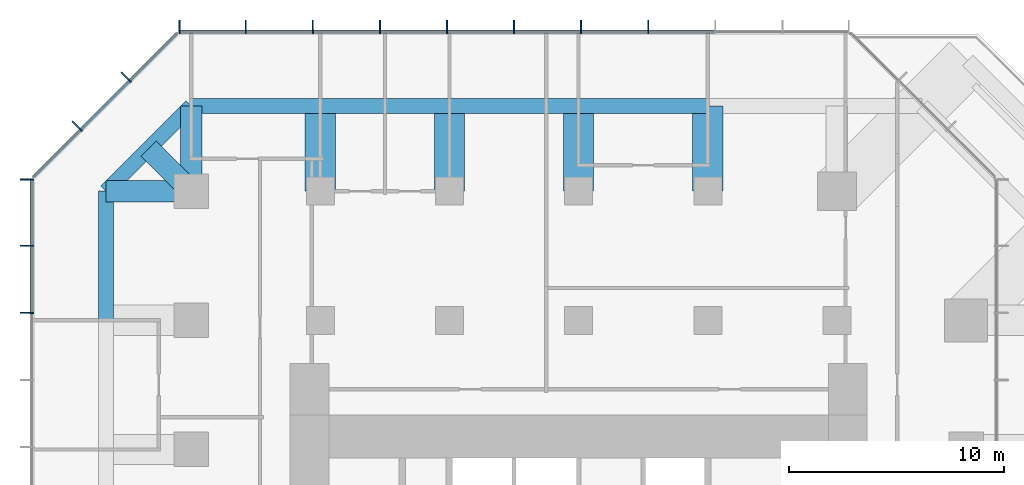
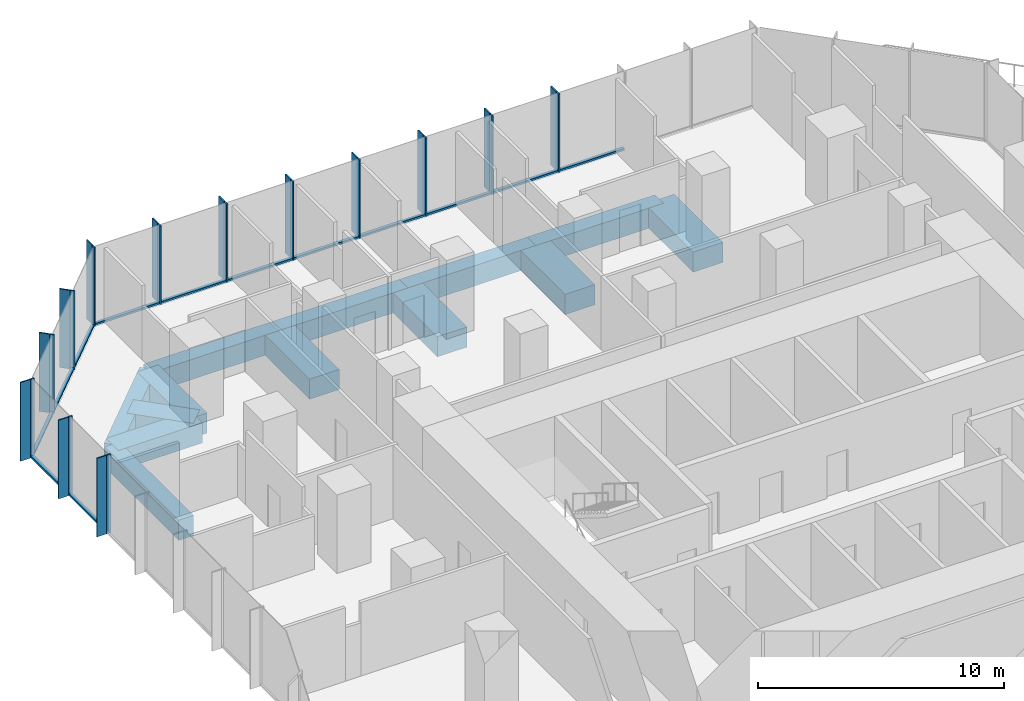
# One storey, part 5 of 11: 39 members, 13 beams, 3 elements without a shape of their own.
"""IFC4 building model written with IfcOpenShell, lengths in metres."""

import ifcopenshell
import ifcopenshell.guid

model = None  # the IFC model being written
_history = None  # IfcOwnerHistory: only IFC2X3 demands one
_inside = {}  # id of a spatial element -> (the spatial element, [elements in it])
_under = {}  # id of a project, library or spatial element -> (it, [spatial elements below it])
_declared = {}  # id of a project -> (the project, [libraries it declares])
_typed = {}  # id of a type object -> (the type object, [elements of that type])
_made_of = {}  # id of a material, layer set ... -> (it, [elements and type objects made of it])


def new_model(schema):
    """Start an empty IFC model of exactly this schema.

    Asked for "IFC4X3", IfcOpenShell would pick the latest addendum, in which some entities
    have other attributes; the version numbers below select the first issue.
    IFC2X3 requires an IfcOwnerHistory on every rooted entity: one is made here for all.
    """
    global model, _history
    if schema == "IFC4X3":
        model = ifcopenshell.file(schema_version=(4, 3, 0, 0))
    else:
        model = ifcopenshell.file(schema=schema)
    _inside.clear()
    _under.clear()
    _declared.clear()
    _typed.clear()
    _made_of.clear()
    _history = None
    if model.schema == "IFC2X3":
        org = make("IfcOrganization", Name="unknown")
        user = make(
            "IfcPersonAndOrganization",
            ThePerson=make("IfcPerson", FamilyName="unknown"),
            TheOrganization=org,
        )
        app = make(
            "IfcApplication",
            ApplicationDeveloper=org,
            Version="unknown",
            ApplicationFullName="unknown",
            ApplicationIdentifier="unknown",
        )
        _history = make(
            "IfcOwnerHistory",
            OwningUser=user,
            OwningApplication=app,
            ChangeAction="ADDED",
            CreationDate=0,
        )
    return model


def make(cls, **values):
    """One entity of the class cls with the attributes given. An attribute that is None is left unset."""
    return model.create_entity(
        cls, **{name: value for name, value in values.items() if value is not None}
    )


def rooted(cls, **values):
    """An entity with a GlobalId (a new one), such as an element, a storey or a relation."""
    return make(cls, GlobalId=ifcopenshell.guid.new(), OwnerHistory=_history, **values)


def si_unit(unit_type, name, prefix=None):
    """IfcSIUnit, for example si_unit("LENGTHUNIT", "METRE", prefix="MILLI")."""
    return make("IfcSIUnit", UnitType=unit_type, Prefix=prefix, Name=name)


def assignment(units):
    """IfcUnitAssignment: the units of a project."""
    return None if units is None else make("IfcUnitAssignment", Units=units)


def point(xyz):
    """IfcCartesianPoint."""
    return None if xyz is None else make("IfcCartesianPoint", Coordinates=xyz)


def direction(xyz):
    """IfcDirection."""
    return None if xyz is None else make("IfcDirection", DirectionRatios=xyz)


def frame(location, z_axis=None, x_axis=None):
    """IfcAxis2Placement3D, a coordinate frame: its origin and axes. An axis left out is left unset."""
    return make(
        "IfcAxis2Placement3D",
        Location=point(location),
        Axis=direction(z_axis),
        RefDirection=direction(x_axis),
    )


def frame_2d(location, x_axis=None):
    """IfcAxis2Placement2D, a coordinate frame in the plane: its origin and x axis."""
    return make(
        "IfcAxis2Placement2D", Location=point(location), RefDirection=direction(x_axis)
    )


def origin():
    """The frame at (0, 0, 0) with its axes left unset."""
    return frame((0.0, 0.0, 0.0))


def origin_2d():
    """The frame at (0, 0) in the plane with its x axis left unset."""
    return frame_2d((0.0, 0.0))


def place(relative_to, where):
    """IfcLocalPlacement: puts the frame where relative to a parent placement (None: the world)."""
    return make(
        "IfcLocalPlacement", PlacementRelTo=relative_to, RelativePlacement=where
    )


def context(
    kind, dimensions, precision=None, world=None, true_north=None, identifier=None
):
    """IfcGeometricRepresentationContext, for example the 3D "Model" context."""
    return make(
        "IfcGeometricRepresentationContext",
        ContextIdentifier=identifier,
        ContextType=kind,
        CoordinateSpaceDimension=dimensions,
        Precision=precision,
        WorldCoordinateSystem=world,
        TrueNorth=true_north,
    )


def subcontext(parent, identifier, kind, view, scale=None):
    """IfcGeometricRepresentationSubContext, for example "Body" below "Model"."""
    return make(
        "IfcGeometricRepresentationSubContext",
        ContextIdentifier=identifier,
        ContextType=kind,
        ParentContext=parent,
        TargetScale=scale,
        TargetView=view,
    )


def project(units=None, contexts=None):
    """IfcProject with its units and contexts."""
    return rooted(
        "IfcProject",
        Name="project",
        RepresentationContexts=contexts,
        UnitsInContext=assignment(units),
    )


def spatial(cls, under=None, at=None, **own):
    """A site, building, storey or space (cls), placed at a placement, below another one or the project."""
    s = rooted(cls, ObjectPlacement=at, **own)
    if under is not None:
        _under.setdefault(under.id(), (under, []))[1].append(s)
    return s


def profile(cls, at=None, kind="AREA", **sizes):
    """A parametric profile (cls). Its sizes go by their IFC names, for example OverallWidth=200.0."""
    return make(cls, ProfileType=kind, Position=at, **sizes)


def rectangle(**sizes):
    """IfcRectangleProfileDef."""
    return profile("IfcRectangleProfileDef", **sizes)


def extrude(swept, where, along, depth):
    """IfcExtrudedAreaSolid: the profile swept, set in the frame where, extruded along a direction by depth."""
    return make(
        "IfcExtrudedAreaSolid",
        SweptArea=swept,
        Position=where,
        ExtrudedDirection=direction(along),
        Depth=depth,
    )


def shape(context_of_items, identifier, shape_type, items):
    """IfcShapeRepresentation: the items that make up one representation, for example the "Body"."""
    return make(
        "IfcShapeRepresentation",
        ContextOfItems=context_of_items,
        RepresentationIdentifier=identifier,
        RepresentationType=shape_type,
        Items=items,
    )


def material(Name=None, Category=None):
    """IfcMaterial."""
    return make("IfcMaterial", Name=Name, Category=Category)


def layer(
    of_material, thickness, ventilated=None, Name=None, Category=None, Priority=None
):
    """IfcMaterialLayer: one layer of a wall or slab, of a material (None: an air gap)."""
    return make(
        "IfcMaterialLayer",
        Material=of_material,
        LayerThickness=thickness,
        IsVentilated=ventilated,
        Name=Name,
        Category=Category,
        Priority=Priority,
    )


def layer_set(layers, Name=None):
    """IfcMaterialLayerSet."""
    return make("IfcMaterialLayerSet", MaterialLayers=layers, LayerSetName=Name)


def material_profile(
    of_material, cross_section, Name=None, Category=None, Priority=None
):
    """IfcMaterialProfile: a cross section and its material."""
    return make(
        "IfcMaterialProfile",
        Name=Name,
        Material=of_material,
        Profile=cross_section,
        Priority=Priority,
        Category=Category,
    )


def profile_set(profiles, Name=None, composite=None):
    """IfcMaterialProfileSet."""
    return make(
        "IfcMaterialProfileSet",
        Name=Name,
        MaterialProfiles=profiles,
        CompositeProfile=composite,
    )


def made_of(thing, what):
    """Note that an element or type object is made of a material, layer set ...; save() writes the relation."""
    if what is not None:
        _made_of.setdefault(what.id(), (what, []))[1].append(thing)
    return thing


def type_object(cls, material=None, **own):
    """A type object (cls), such as IfcWallType, which elements share."""
    return made_of(rooted(cls, **own), material)


def element(
    cls,
    number,
    at=None,
    inside=None,
    cuts=None,
    type_object=None,
    material=None,
    context=None,
    identifier="Body",
    shape_type=None,
    held_by="IfcProductDefinitionShape",
    body=None,
    shapes=None,
    **own,
):
    """One element of the class cls, such as IfcWall. Its Tag is "e" and its number.

    at: its placement. inside: the storey or other place that contains it. cuts: it is an
    opening in that element (IfcRelVoidsElement). A single representation is given by context,
    identifier, shape_type and body (its items); several are given by shapes. held_by: the class
    of the entity that holds the representations. save() writes the other relations.
    """
    e = rooted(cls, Tag="e%d" % number, ObjectPlacement=at, **own)
    if body is not None:
        shapes = [shape(context, identifier, shape_type, body)]
    if shapes is not None:
        e.Representation = make(held_by, Representations=shapes)
    if inside is not None:
        _inside.setdefault(inside.id(), (inside, []))[1].append(e)
    if cuts is not None:
        rooted(
            "IfcRelVoidsElement", RelatingBuildingElement=cuts, RelatedOpeningElement=e
        )
    if type_object is not None:
        _typed.setdefault(type_object.id(), (type_object, []))[1].append(e)
    return made_of(e, material)


def aggregate(whole, parts):
    """IfcRelAggregates: a whole, such as a stair, and the parts it consists of."""
    return rooted("IfcRelAggregates", RelatingObject=whole, RelatedObjects=parts)


def save(model, path):
    """Write the relations noted so far, then the file.

    IfcRelAggregates (storeys below a building ...), IfcRelContainedInSpatialStructure (elements
    in a storey), IfcRelDefinesByType, IfcRelAssociatesMaterial and IfcRelDeclares: one each for
    every whole, place, type object, material and project.
    """
    for whole, parts in _under.values():
        aggregate(whole, parts)
    for where, things in _inside.values():
        rooted(
            "IfcRelContainedInSpatialStructure",
            RelatedElements=things,
            RelatingStructure=where,
        )
    for kind, things in _typed.values():
        rooted("IfcRelDefinesByType", RelatedObjects=things, RelatingType=kind)
    for what, things in _made_of.values():
        rooted("IfcRelAssociatesMaterial", RelatedObjects=things, RelatingMaterial=what)
    for by, libraries in _declared.values():
        rooted("IfcRelDeclares", RelatingContext=by, RelatedDefinitions=libraries)
    model.write(path)


model = new_model("IFC4")

# Units and contexts
model_context = context("Model", 3, precision=1e-05, world=origin(), true_north=direction((0.0, 1.0)))
body_context = subcontext(model_context, "Body", "Model", "MODEL_VIEW")
ifc_project = project(units=[si_unit("LENGTHUNIT", "METRE"), si_unit("AREAUNIT", "SQUARE_METRE"), si_unit("VOLUMEUNIT", "CUBIC_METRE"), si_unit("PLANEANGLEUNIT", "RADIAN"), si_unit("MASSUNIT", "GRAM", prefix="KILO")], contexts=[model_context])

# Site, building, storey
site_placement = place(None, origin())
site = spatial("IfcSite", under=ifc_project, at=site_placement, CompositionType="ELEMENT")
building_placement = place(site_placement, origin())
building = spatial("IfcBuilding", under=site, at=building_placement, Name="Highveld Stack Headquarters", CompositionType="ELEMENT")
storey_placement = place(building_placement, frame((0.0, 0.0, 188.89990234375)))
storey = spatial("IfcBuildingStorey", under=building, at=storey_placement, Name="L46", CompositionType="ELEMENT", Elevation=188.89990234375)

# Beams
ifc_material_1 = material(Name="Concrete C60/75", Category="concrete")
ifc_material_profile_1 = material_profile(ifc_material_1, rectangle(XDim=1.0, YDim=1.0, at=origin_2d()), Name="RC 1000x1000")
ifc_profile_set_1 = profile_set([ifc_material_profile_1], Name="Concrete C60/75")
beam_type_1 = type_object("IfcBeamType", Name="CANTILEVER RIB RC 1000x1000", PredefinedType="USERDEFINED", material=ifc_profile_set_1)
for number, where, z_axis, x_axis, name in (
    (1, (-12.0, 24.0, -0.75), (-1.0, 0.0, 0.0), (0.0, -1.0, 0.0), "Cantilever rib 4/J L46"),
    (2, (-12.0, 24.0, -0.75), (0.0, 1.0, 0.0), (-1.0, 0.0, 0.0), "Cantilever rib 4/J L46"),
):
    element("IfcBeam", number, at=place(storey_placement, frame(where, z_axis=z_axis, x_axis=x_axis)), inside=storey, type_object=beam_type_1, Name=name, ObjectType="CANTILEVER RIB", PredefinedType="USERDEFINED", context=body_context, shape_type="SweptSolid", body=[
        extrude(rectangle(XDim=1.0, YDim=1.0, at=origin_2d()), origin(), (0.0, 0.0, 1.0), 3.949951171875),
    ])
beam_1_placement = place(storey_placement, frame((-12.0, 24.0, -0.75), z_axis=(-0.707106781187, 0.707106781187, 0.0), x_axis=(-0.707106781187, -0.707106781187, 0.0)))
element("IfcBeam", 3, at=beam_1_placement, inside=storey, type_object=beam_type_1, Name="Cantilever rib 4/J L46", ObjectType="CANTILEVER RIB", PredefinedType="USERDEFINED", context=body_context, shape_type="SweptSolid", body=[
    extrude(rectangle(XDim=1.0, YDim=1.0, at=origin_2d()), origin(), (0.0, 0.0, 1.0), 2.793212890625),
])
ifc_material_2 = material(Name="Concrete C60/75", Category="concrete")
ifc_material_profile_2 = material_profile(ifc_material_2, rectangle(XDim=1.39990234375, YDim=1.0, at=origin_2d()), Name="RC 1400x1000")
ifc_profile_set_2 = profile_set([ifc_material_profile_2], Name="Concrete C60/75")
beam_type_2 = type_object("IfcBeamType", Name="CANTILEVER RIB RC 1400x1000", PredefinedType="USERDEFINED", material=ifc_profile_set_2)
for number, where, z_axis, x_axis, name in (
    (4, (-6.0, 24.0, -0.75), (0.0, 1.0, 0.0), (-1.0, 0.0, 0.0), "Cantilever rib 5/J L46"),
    (5, (0.0, 24.0, -0.75), (0.0, 1.0, 0.0), (-1.0, 0.0, 0.0), "Cantilever rib 6/J L46"),
    (6, (6.0, 24.0, -0.75), (0.0, 1.0, 0.0), (-1.0, 0.0, 0.0), "Cantilever rib 7/J L46"),
    (7, (12.0, 24.0, -0.75), (0.0, 1.0, 0.0), (-1.0, 0.0, 0.0), "Cantilever rib 8/J L46"),
):
    element("IfcBeam", number, at=place(storey_placement, frame(where, z_axis=z_axis, x_axis=x_axis)), inside=storey, type_object=beam_type_2, Name=name, ObjectType="CANTILEVER RIB", PredefinedType="USERDEFINED", context=body_context, shape_type="SweptSolid", body=[
        extrude(rectangle(XDim=1.39990234375, YDim=1.0, at=origin_2d()), origin(), (0.0, 0.0, 1.0), 3.949951171875),
    ])

# Curtain wall, members
ifc_material_3 = material(Name="Aluminium bronze anodised", Category="aluminium")
ifc_layer_1 = layer(ifc_material_3, 0.199951171875)
ifc_layer_set_1 = layer_set([ifc_layer_1], Name="Aluminium bronze anodised")
curtain_wall_type_1 = type_object("IfcCurtainWallType", Name="CW1 TOWER UNITISED CURTAIN WALL", PredefinedType="NOTDEFINED", material=ifc_layer_set_1)
curtain_wall_1_placement = place(storey_placement, origin())
curtain_wall_1 = element("IfcCurtainWall", 8, at=curtain_wall_1_placement, inside=storey, type_object=curtain_wall_type_1, Name="Curtain wall CW1 L46 N", PredefinedType="NOTDEFINED")
ifc_material_4 = material(Name="Aluminium bronze anodised", Category="aluminium")
ifc_material_profile_3 = material_profile(ifc_material_4, rectangle(XDim=0.449951171875, YDim=0.06005859375, at=origin_2d()), Name="FIN 450x60")
ifc_profile_set_3 = profile_set([ifc_material_profile_3], Name="Aluminium bronze anodised")
member_type_1 = type_object("IfcMemberType", Name="CW1 BRONZE FIN 450x60", PredefinedType="USERDEFINED", material=ifc_profile_set_3)
member_1_placement = place(storey_placement, frame((9.23193359375, 31.72509765625, 0.0), z_axis=(0.0, 0.0, 1.0), x_axis=(0.0, -1.0, 0.0)))
member_1 = element("IfcMember", 9, at=member_1_placement, type_object=member_type_1, Name="CW1 fin L46 4", ObjectType="FIN", PredefinedType="USERDEFINED", context=body_context, shape_type="SweptSolid", body=[
    extrude(rectangle(XDim=0.449951171875, YDim=0.06005859375, at=origin_2d()), origin(), (0.0, 0.0, 1.0), 3.900146484375),
])
member_2_placement = place(storey_placement, frame((6.115966796875, 31.72509765625, 0.0), z_axis=(0.0, 0.0, 1.0), x_axis=(0.0, -1.0, 0.0)))
member_2 = element("IfcMember", 10, at=member_2_placement, type_object=member_type_1, Name="CW1 fin L46 5", ObjectType="FIN", PredefinedType="USERDEFINED", context=body_context, shape_type="SweptSolid", body=[
    extrude(rectangle(XDim=0.449951171875, YDim=0.06005859375, at=origin_2d()), origin(), (0.0, 0.0, 1.0), 3.900146484375),
])
member_3_placement = place(storey_placement, frame((3.0, 31.72509765625, 0.0), z_axis=(0.0, 0.0, 1.0), x_axis=(0.0, -1.0, 0.0)))
member_3 = element("IfcMember", 11, at=member_3_placement, type_object=member_type_1, Name="CW1 fin L46 6", ObjectType="FIN", PredefinedType="USERDEFINED", context=body_context, shape_type="SweptSolid", body=[
    extrude(rectangle(XDim=0.449951171875, YDim=0.06005859375, at=origin_2d()), origin(), (0.0, 0.0, 1.0), 3.900146484375),
])
member_4_placement = place(storey_placement, frame((-0.115966796875, 31.72509765625, 0.0), z_axis=(0.0, 0.0, 1.0), x_axis=(0.0, -1.0, 0.0)))
member_4 = element("IfcMember", 12, at=member_4_placement, type_object=member_type_1, Name="CW1 fin L46 7", ObjectType="FIN", PredefinedType="USERDEFINED", context=body_context, shape_type="SweptSolid", body=[
    extrude(rectangle(XDim=0.449951171875, YDim=0.06005859375, at=origin_2d()), origin(), (0.0, 0.0, 1.0), 3.900146484375),
])
member_5_placement = place(storey_placement, frame((-3.23193359375, 31.72509765625, 0.0), z_axis=(0.0, 0.0, 1.0), x_axis=(0.0, -1.0, 0.0)))
member_5 = element("IfcMember", 13, at=member_5_placement, type_object=member_type_1, Name="CW1 fin L46 8", ObjectType="FIN", PredefinedType="USERDEFINED", context=body_context, shape_type="SweptSolid", body=[
    extrude(rectangle(XDim=0.449951171875, YDim=0.06005859375, at=origin_2d()), origin(), (0.0, 0.0, 1.0), 3.900146484375),
])
member_6_placement = place(storey_placement, frame((-6.347900390625, 31.72509765625, 0.0), z_axis=(0.0, 0.0, 1.0), x_axis=(0.0, -1.0, 0.0)))
member_6 = element("IfcMember", 14, at=member_6_placement, type_object=member_type_1, Name="CW1 fin L46 9", ObjectType="FIN", PredefinedType="USERDEFINED", context=body_context, shape_type="SweptSolid", body=[
    extrude(rectangle(XDim=0.449951171875, YDim=0.06005859375, at=origin_2d()), origin(), (0.0, 0.0, 1.0), 3.900146484375),
])
member_7_placement = place(storey_placement, frame((-9.4638671875, 31.72509765625, 0.0), z_axis=(0.0, 0.0, 1.0), x_axis=(0.0, -1.0, 0.0)))
member_7 = element("IfcMember", 15, at=member_7_placement, type_object=member_type_1, Name="CW1 fin L46 10", ObjectType="FIN", PredefinedType="USERDEFINED", context=body_context, shape_type="SweptSolid", body=[
    extrude(rectangle(XDim=0.449951171875, YDim=0.06005859375, at=origin_2d()), origin(), (0.0, 0.0, 1.0), 3.900146484375),
])
member_8_placement = place(storey_placement, frame((-12.54736328125, 31.72509765625, 0.0), z_axis=(0.0, 0.0, 1.0), x_axis=(0.0, -1.0, 0.0)))
member_8 = element("IfcMember", 16, at=member_8_placement, type_object=member_type_1, Name="CW1 fin L46 11", ObjectType="FIN", PredefinedType="USERDEFINED", context=body_context, shape_type="SweptSolid", body=[
    extrude(rectangle(XDim=0.449951171875, YDim=0.06005859375, at=origin_2d()), origin(), (0.0, 0.0, 1.0), 3.900146484375),
])

curtain_wall_2_placement = place(storey_placement, origin())
curtain_wall_2 = element("IfcCurtainWall", 17, at=curtain_wall_2_placement, inside=storey, type_object=curtain_wall_type_1, Name="Curtain wall CW1 L46 W", PredefinedType="NOTDEFINED")
member_9_placement = place(storey_placement, frame((-19.72509765625, 24.54736328125, 0.0), z_axis=(0.0, 0.0, 1.0), x_axis=(1.0, 0.0, 0.0)))
member_9 = element("IfcMember", 18, at=member_9_placement, type_object=member_type_1, Name="CW1 fin L46 1", ObjectType="FIN", PredefinedType="USERDEFINED", context=body_context, shape_type="SweptSolid", body=[
    extrude(rectangle(XDim=0.449951171875, YDim=0.06005859375, at=origin_2d()), origin(), (0.0, 0.0, 1.0), 3.900146484375),
])
member_10_placement = place(storey_placement, frame((-19.72509765625, 21.4638671875, 0.0), z_axis=(0.0, 0.0, 1.0), x_axis=(1.0, 0.0, 0.0)))
member_10 = element("IfcMember", 19, at=member_10_placement, type_object=member_type_1, Name="CW1 fin L46 2", ObjectType="FIN", PredefinedType="USERDEFINED", context=body_context, shape_type="SweptSolid", body=[
    extrude(rectangle(XDim=0.449951171875, YDim=0.06005859375, at=origin_2d()), origin(), (0.0, 0.0, 1.0), 3.900146484375),
])
member_11_placement = place(storey_placement, frame((-19.72509765625, 18.347900390625, 0.0), z_axis=(0.0, 0.0, 1.0), x_axis=(1.0, 0.0, 0.0)))
member_11 = element("IfcMember", 20, at=member_11_placement, type_object=member_type_1, Name="CW1 fin L46 3", ObjectType="FIN", PredefinedType="USERDEFINED", context=body_context, shape_type="SweptSolid", body=[
    extrude(rectangle(XDim=0.449951171875, YDim=0.06005859375, at=origin_2d()), origin(), (0.0, 0.0, 1.0), 3.900146484375),
])

# Member
ifc_material_5 = material(Name="Aluminium bronze anodised", Category="aluminium")
ifc_material_profile_4 = material_profile(ifc_material_5, rectangle(XDim=0.199951171875, YDim=0.06494140625, at=origin_2d()), Name="CW1 MULLION 65x200")
ifc_profile_set_4 = profile_set([ifc_material_profile_4], Name="Aluminium bronze anodised")
member_type_2 = type_object("IfcMemberType", Name="CW1 MULLION 65x200", PredefinedType="MULLION", material=ifc_profile_set_4)
member_12_placement = place(storey_placement, frame((9.23193359375, 31.39990234375, 0.0), z_axis=(0.0, 0.0, 1.0), x_axis=(0.0, -1.0, 0.0)))
member_12 = element("IfcMember", 21, at=member_12_placement, type_object=member_type_2, Name="CW1 mullion L46 4", PredefinedType="MULLION", context=body_context, shape_type="SweptSolid", body=[
    extrude(rectangle(XDim=0.199951171875, YDim=0.06494140625, at=origin_2d()), origin(), (0.0, 0.0, 1.0), 3.900146484375),
])

member_13_placement = place(storey_placement, frame((6.115966796875, 31.39990234375, 0.0), z_axis=(0.0, 0.0, 1.0), x_axis=(0.0, -1.0, 0.0)))
member_13 = element("IfcMember", 22, at=member_13_placement, type_object=member_type_2, Name="CW1 mullion L46 5", PredefinedType="MULLION", context=body_context, shape_type="SweptSolid", body=[
    extrude(rectangle(XDim=0.199951171875, YDim=0.06494140625, at=origin_2d()), origin(), (0.0, 0.0, 1.0), 3.900146484375),
])

member_14_placement = place(storey_placement, frame((3.0, 31.39990234375, 0.0), z_axis=(0.0, 0.0, 1.0), x_axis=(0.0, -1.0, 0.0)))
member_14 = element("IfcMember", 23, at=member_14_placement, type_object=member_type_2, Name="CW1 mullion L46 6", PredefinedType="MULLION", context=body_context, shape_type="SweptSolid", body=[
    extrude(rectangle(XDim=0.199951171875, YDim=0.06494140625, at=origin_2d()), origin(), (0.0, 0.0, 1.0), 3.900146484375),
])

member_15_placement = place(storey_placement, frame((-0.115966796875, 31.39990234375, 0.0), z_axis=(0.0, 0.0, 1.0), x_axis=(0.0, -1.0, 0.0)))
member_15 = element("IfcMember", 24, at=member_15_placement, type_object=member_type_2, Name="CW1 mullion L46 7", PredefinedType="MULLION", context=body_context, shape_type="SweptSolid", body=[
    extrude(rectangle(XDim=0.199951171875, YDim=0.06494140625, at=origin_2d()), origin(), (0.0, 0.0, 1.0), 3.900146484375),
])

member_16_placement = place(storey_placement, frame((-3.23193359375, 31.39990234375, 0.0), z_axis=(0.0, 0.0, 1.0), x_axis=(0.0, -1.0, 0.0)))
member_16 = element("IfcMember", 25, at=member_16_placement, type_object=member_type_2, Name="CW1 mullion L46 8", PredefinedType="MULLION", context=body_context, shape_type="SweptSolid", body=[
    extrude(rectangle(XDim=0.199951171875, YDim=0.06494140625, at=origin_2d()), origin(), (0.0, 0.0, 1.0), 3.900146484375),
])

member_17_placement = place(storey_placement, frame((-6.347900390625, 31.39990234375, 0.0), z_axis=(0.0, 0.0, 1.0), x_axis=(0.0, -1.0, 0.0)))
member_17 = element("IfcMember", 26, at=member_17_placement, type_object=member_type_2, Name="CW1 mullion L46 9", PredefinedType="MULLION", context=body_context, shape_type="SweptSolid", body=[
    extrude(rectangle(XDim=0.199951171875, YDim=0.06494140625, at=origin_2d()), origin(), (0.0, 0.0, 1.0), 3.900146484375),
])

member_18_placement = place(storey_placement, frame((-9.4638671875, 31.39990234375, 0.0), z_axis=(0.0, 0.0, 1.0), x_axis=(0.0, -1.0, 0.0)))
member_18 = element("IfcMember", 27, at=member_18_placement, type_object=member_type_2, Name="CW1 mullion L46 10", PredefinedType="MULLION", context=body_context, shape_type="SweptSolid", body=[
    extrude(rectangle(XDim=0.199951171875, YDim=0.06494140625, at=origin_2d()), origin(), (0.0, 0.0, 1.0), 3.900146484375),
])

member_19_placement = place(storey_placement, frame((-12.54736328125, 31.39990234375, 0.0), z_axis=(0.0, 0.0, 1.0), x_axis=(0.0, -1.0, 0.0)))
member_19 = element("IfcMember", 28, at=member_19_placement, type_object=member_type_2, Name="CW1 mullion L46 11", PredefinedType="MULLION", context=body_context, shape_type="SweptSolid", body=[
    extrude(rectangle(XDim=0.199951171875, YDim=0.06494140625, at=origin_2d()), origin(), (0.0, 0.0, 1.0), 3.900146484375),
])

member_20_placement = place(storey_placement, frame((-19.39990234375, 24.54736328125, 0.0), z_axis=(0.0, 0.0, 1.0), x_axis=(1.0, 0.0, 0.0)))
member_20 = element("IfcMember", 29, at=member_20_placement, type_object=member_type_2, Name="CW1 mullion L46 1", PredefinedType="MULLION", context=body_context, shape_type="SweptSolid", body=[
    extrude(rectangle(XDim=0.199951171875, YDim=0.06494140625, at=origin_2d()), origin(), (0.0, 0.0, 1.0), 3.900146484375),
])

member_21_placement = place(storey_placement, frame((-19.39990234375, 21.4638671875, 0.0), z_axis=(0.0, 0.0, 1.0), x_axis=(1.0, 0.0, 0.0)))
member_21 = element("IfcMember", 30, at=member_21_placement, type_object=member_type_2, Name="CW1 mullion L46 2", PredefinedType="MULLION", context=body_context, shape_type="SweptSolid", body=[
    extrude(rectangle(XDim=0.199951171875, YDim=0.06494140625, at=origin_2d()), origin(), (0.0, 0.0, 1.0), 3.900146484375),
])

member_22_placement = place(storey_placement, frame((-19.39990234375, 18.347900390625, 0.0), z_axis=(0.0, 0.0, 1.0), x_axis=(1.0, 0.0, 0.0)))
member_22 = element("IfcMember", 31, at=member_22_placement, type_object=member_type_2, Name="CW1 mullion L46 3", PredefinedType="MULLION", context=body_context, shape_type="SweptSolid", body=[
    extrude(rectangle(XDim=0.199951171875, YDim=0.06494140625, at=origin_2d()), origin(), (0.0, 0.0, 1.0), 3.900146484375),
])

ifc_material_6 = material(Name="Aluminium bronze anodised", Category="aluminium")
ifc_material_profile_5 = material_profile(ifc_material_6, rectangle(XDim=0.14990234375, YDim=0.10009765625, at=origin_2d()), Name="CW1 TRANSOM 150x100")
ifc_profile_set_5 = profile_set([ifc_material_profile_5], Name="Aluminium bronze anodised")
member_type_3 = type_object("IfcMemberType", Name="CW1 STACK TRANSOM 150x100", PredefinedType="USERDEFINED", material=ifc_profile_set_5)
member_23_placement = place(storey_placement, frame((12.3154296875, 31.39990234375, 0.050048828125), z_axis=(-1.0, 0.0, 0.0), x_axis=(0.0, -1.0, 0.0)))
member_23 = element("IfcMember", 32, at=member_23_placement, type_object=member_type_3, Name="CW1 transom L46 3.1", ObjectType="TRANSOM", PredefinedType="USERDEFINED", context=body_context, shape_type="SweptSolid", body=[
    extrude(rectangle(XDim=0.14990234375, YDim=0.10009765625, at=origin_2d()), origin(), (0.0, 0.0, 1.0), 3.051025390625),
])

member_24_placement = place(storey_placement, frame((9.199462890625, 31.39990234375, 0.050048828125), z_axis=(-1.0, 0.0, 0.0), x_axis=(0.0, -1.0, 0.0)))
member_24 = element("IfcMember", 33, at=member_24_placement, type_object=member_type_3, Name="CW1 transom L46 4.1", ObjectType="TRANSOM", PredefinedType="USERDEFINED", context=body_context, shape_type="SweptSolid", body=[
    extrude(rectangle(XDim=0.14990234375, YDim=0.10009765625, at=origin_2d()), origin(), (0.0, 0.0, 1.0), 3.051025390625),
])

member_25_placement = place(storey_placement, frame((6.08349609375, 31.39990234375, 0.050048828125), z_axis=(-1.0, 0.0, 0.0), x_axis=(0.0, -1.0, 0.0)))
member_25 = element("IfcMember", 34, at=member_25_placement, type_object=member_type_3, Name="CW1 transom L46 5.1", ObjectType="TRANSOM", PredefinedType="USERDEFINED", context=body_context, shape_type="SweptSolid", body=[
    extrude(rectangle(XDim=0.14990234375, YDim=0.10009765625, at=origin_2d()), origin(), (0.0, 0.0, 1.0), 3.051025390625),
])

member_26_placement = place(storey_placement, frame((2.967529296875, 31.39990234375, 0.050048828125), z_axis=(-1.0, 0.0, 0.0), x_axis=(0.0, -1.0, 0.0)))
member_26 = element("IfcMember", 35, at=member_26_placement, type_object=member_type_3, Name="CW1 transom L46 6.1", ObjectType="TRANSOM", PredefinedType="USERDEFINED", context=body_context, shape_type="SweptSolid", body=[
    extrude(rectangle(XDim=0.14990234375, YDim=0.10009765625, at=origin_2d()), origin(), (0.0, 0.0, 1.0), 3.051025390625),
])

member_27_placement = place(storey_placement, frame((-0.1484375, 31.39990234375, 0.050048828125), z_axis=(-1.0, 0.0, 0.0), x_axis=(0.0, -1.0, 0.0)))
member_27 = element("IfcMember", 36, at=member_27_placement, type_object=member_type_3, Name="CW1 transom L46 7.1", ObjectType="TRANSOM", PredefinedType="USERDEFINED", context=body_context, shape_type="SweptSolid", body=[
    extrude(rectangle(XDim=0.14990234375, YDim=0.10009765625, at=origin_2d()), origin(), (0.0, 0.0, 1.0), 3.051025390625),
])

member_28_placement = place(storey_placement, frame((-3.264404296875, 31.39990234375, 0.050048828125), z_axis=(-1.0, 0.0, 0.0), x_axis=(0.0, -1.0, 0.0)))
member_28 = element("IfcMember", 37, at=member_28_placement, type_object=member_type_3, Name="CW1 transom L46 8.1", ObjectType="TRANSOM", PredefinedType="USERDEFINED", context=body_context, shape_type="SweptSolid", body=[
    extrude(rectangle(XDim=0.14990234375, YDim=0.10009765625, at=origin_2d()), origin(), (0.0, 0.0, 1.0), 3.051025390625),
])

member_29_placement = place(storey_placement, frame((-6.38037109375, 31.39990234375, 0.050048828125), z_axis=(-1.0, 0.0, 0.0), x_axis=(0.0, -1.0, 0.0)))
member_29 = element("IfcMember", 38, at=member_29_placement, type_object=member_type_3, Name="CW1 transom L46 9.1", ObjectType="TRANSOM", PredefinedType="USERDEFINED", context=body_context, shape_type="SweptSolid", body=[
    extrude(rectangle(XDim=0.14990234375, YDim=0.10009765625, at=origin_2d()), origin(), (0.0, 0.0, 1.0), 3.051025390625),
])

member_30_placement = place(storey_placement, frame((-9.496337890625, 31.39990234375, 0.050048828125), z_axis=(-1.0, 0.0, 0.0), x_axis=(0.0, -1.0, 0.0)))
member_30 = element("IfcMember", 39, at=member_30_placement, type_object=member_type_3, Name="CW1 transom L46 10.1", ObjectType="TRANSOM", PredefinedType="USERDEFINED", context=body_context, shape_type="SweptSolid", body=[
    extrude(rectangle(XDim=0.14990234375, YDim=0.10009765625, at=origin_2d()), origin(), (0.0, 0.0, 1.0), 3.0185546875),
])

aggregate(curtain_wall_1, [member_12, member_1, member_13, member_2, member_14, member_3, member_15, member_4, member_16, member_5, member_17, member_6, member_18, member_7, member_19, member_8, member_23, member_24, member_25, member_26, member_27, member_28, member_29, member_30])

member_31_placement = place(storey_placement, frame((-19.39990234375, 24.514892578125, 0.050048828125), z_axis=(0.0, -1.0, 0.0), x_axis=(1.0, 0.0, 0.0)))
member_31 = element("IfcMember", 40, at=member_31_placement, type_object=member_type_3, Name="CW1 transom L46 1.1", ObjectType="TRANSOM", PredefinedType="USERDEFINED", context=body_context, shape_type="SweptSolid", body=[
    extrude(rectangle(XDim=0.14990234375, YDim=0.10009765625, at=origin_2d()), origin(), (0.0, 0.0, 1.0), 3.0185546875),
])

member_32_placement = place(storey_placement, frame((-19.39990234375, 21.431396484375, 0.050048828125), z_axis=(0.0, -1.0, 0.0), x_axis=(1.0, 0.0, 0.0)))
member_32 = element("IfcMember", 41, at=member_32_placement, type_object=member_type_3, Name="CW1 transom L46 2.1", ObjectType="TRANSOM", PredefinedType="USERDEFINED", context=body_context, shape_type="SweptSolid", body=[
    extrude(rectangle(XDim=0.14990234375, YDim=0.10009765625, at=origin_2d()), origin(), (0.0, 0.0, 1.0), 3.051025390625),
])

aggregate(curtain_wall_2, [member_20, member_9, member_21, member_10, member_22, member_11, member_31, member_32])

# Curtain wall, members
ifc_material_7 = material(Name="Aluminium bronze anodised", Category="aluminium")
ifc_layer_2 = layer(ifc_material_7, 0.199951171875)
ifc_layer_set_2 = layer_set([ifc_layer_2], Name="Aluminium bronze anodised")
curtain_wall_type_2 = type_object("IfcCurtainWallType", Name="CW2 TOWER CHAMFER UNITISED CURTAIN WALL", PredefinedType="NOTDEFINED", material=ifc_layer_set_2)
curtain_wall_3_placement = place(storey_placement, origin())
curtain_wall_3 = element("IfcCurtainWall", 42, at=curtain_wall_3_placement, inside=storey, type_object=curtain_wall_type_2, Name="Curtain wall CW2 L46 NW", PredefinedType="NOTDEFINED")
ifc_material_8 = material(Name="Aluminium bronze anodised", Category="aluminium")
ifc_material_profile_6 = material_profile(ifc_material_8, rectangle(XDim=0.449951171875, YDim=0.06005859375, at=origin_2d()), Name="FIN 450x60")
ifc_profile_set_6 = profile_set([ifc_material_profile_6], Name="Aluminium bronze anodised")
member_type_4 = type_object("IfcMemberType", Name="CW2 BRONZE FIN 450x60", PredefinedType="USERDEFINED", material=ifc_profile_set_6)
member_33_placement = place(storey_placement, frame((-15.0830078125, 29.3564453125, 0.0), z_axis=(0.0, 0.0, 1.0), x_axis=(0.707106781187, -0.707106781187, 0.0)))
member_33 = element("IfcMember", 43, at=member_33_placement, type_object=member_type_4, Name="CW2 fin L46 1", ObjectType="FIN", PredefinedType="USERDEFINED", context=body_context, shape_type="SweptSolid", body=[
    extrude(rectangle(XDim=0.449951171875, YDim=0.06005859375, at=origin_2d()), origin(), (0.0, 0.0, 1.0), 3.900146484375),
])
member_34_placement = place(storey_placement, frame((-17.3564453125, 27.0830078125, 0.0), z_axis=(0.0, 0.0, 1.0), x_axis=(0.707106781187, -0.707106781187, 0.0)))
member_34 = element("IfcMember", 44, at=member_34_placement, type_object=member_type_4, Name="CW2 fin L46 2", ObjectType="FIN", PredefinedType="USERDEFINED", context=body_context, shape_type="SweptSolid", body=[
    extrude(rectangle(XDim=0.449951171875, YDim=0.06005859375, at=origin_2d()), origin(), (0.0, 0.0, 1.0), 3.900146484375),
])
ifc_material_9 = material(Name="Aluminium bronze anodised", Category="aluminium")
ifc_material_profile_7 = material_profile(ifc_material_9, rectangle(XDim=0.199951171875, YDim=0.06494140625, at=origin_2d()), Name="CW2 MULLION 65x200")
ifc_profile_set_7 = profile_set([ifc_material_profile_7], Name="Aluminium bronze anodised")
member_type_5 = type_object("IfcMemberType", Name="CW2 MULLION 65x200", PredefinedType="MULLION", material=ifc_profile_set_7)
member_35_placement = place(storey_placement, frame((-14.853271484375, 29.126708984375, 0.0), z_axis=(0.0, 0.0, 1.0), x_axis=(0.707106781187, -0.707106781187, 0.0)))
member_35 = element("IfcMember", 45, at=member_35_placement, type_object=member_type_5, Name="CW2 mullion L46 1", PredefinedType="MULLION", context=body_context, shape_type="SweptSolid", body=[
    extrude(rectangle(XDim=0.199951171875, YDim=0.06494140625, at=origin_2d()), origin(), (0.0, 0.0, 1.0), 3.900146484375),
])
member_36_placement = place(storey_placement, frame((-17.126708984375, 26.853271484375, 0.0), z_axis=(0.0, 0.0, 1.0), x_axis=(0.707106781187, -0.707106781187, 0.0)))
member_36 = element("IfcMember", 46, at=member_36_placement, type_object=member_type_5, Name="CW2 mullion L46 2", PredefinedType="MULLION", context=body_context, shape_type="SweptSolid", body=[
    extrude(rectangle(XDim=0.199951171875, YDim=0.06494140625, at=origin_2d()), origin(), (0.0, 0.0, 1.0), 3.900146484375),
])
ifc_material_10 = material(Name="Aluminium bronze anodised", Category="aluminium")
ifc_material_profile_8 = material_profile(ifc_material_10, rectangle(XDim=0.14990234375, YDim=0.10009765625, at=origin_2d()), Name="CW2 TRANSOM 150x100")
ifc_profile_set_8 = profile_set([ifc_material_profile_8], Name="Aluminium bronze anodised")
member_type_6 = type_object("IfcMemberType", Name="CW2 STACK TRANSOM 150x100", PredefinedType="USERDEFINED", material=ifc_profile_set_8)
member_37_placement = place(storey_placement, frame((-12.650634765625, 31.329345703125, 0.050048828125), z_axis=(-0.707106781187, -0.707106781187, 0.0), x_axis=(0.707106781187, -0.707106781187, 0.0)))
member_37 = element("IfcMember", 47, at=member_37_placement, type_object=member_type_6, Name="CW2 transom L46 1.1", ObjectType="TRANSOM", PredefinedType="USERDEFINED", context=body_context, shape_type="SweptSolid", body=[
    extrude(rectangle(XDim=0.14990234375, YDim=0.10009765625, at=origin_2d()), origin(), (0.0, 0.0, 1.0), 3.08251953125),
])
member_38_placement = place(storey_placement, frame((-14.876220703125, 29.103759765625, 0.050048828125), z_axis=(-0.707106781187, -0.707106781187, 0.0), x_axis=(0.707106781187, -0.707106781187, 0.0)))
member_38 = element("IfcMember", 48, at=member_38_placement, type_object=member_type_6, Name="CW2 transom L46 2.1", ObjectType="TRANSOM", PredefinedType="USERDEFINED", context=body_context, shape_type="SweptSolid", body=[
    extrude(rectangle(XDim=0.14990234375, YDim=0.10009765625, at=origin_2d()), origin(), (0.0, 0.0, 1.0), 3.150146484375),
])
member_39_placement = place(storey_placement, frame((-17.149658203125, 26.830322265625, 0.050048828125), z_axis=(-0.707106781187, -0.707106781187, 0.0), x_axis=(0.707106781187, -0.707106781187, 0.0)))
member_39 = element("IfcMember", 49, at=member_39_placement, type_object=member_type_6, Name="CW2 transom L46 3.1", ObjectType="TRANSOM", PredefinedType="USERDEFINED", context=body_context, shape_type="SweptSolid", body=[
    extrude(rectangle(XDim=0.14990234375, YDim=0.10009765625, at=origin_2d()), origin(), (0.0, 0.0, 1.0), 3.08251953125),
])
aggregate(curtain_wall_3, [member_35, member_33, member_36, member_34, member_37, member_38, member_39])

# Beams
ifc_material_11 = material(Name="Concrete C60/75", Category="concrete")
ifc_material_profile_9 = material_profile(ifc_material_11, rectangle(XDim=0.699951171875, YDim=1.0, at=origin_2d()), Name="RC 700x1000")
ifc_profile_set_9 = profile_set([ifc_material_profile_9], Name="Concrete C60/75")
beam_type_3 = type_object("IfcBeamType", Name="RIB TIP BEAM RC 700x1000", PredefinedType="SPANDREL", material=ifc_profile_set_9)
for number, where, z_axis, x_axis, name in (
    (50, (-15.949951171875, 18.0, -0.75), (0.0, 1.0, 0.0), (-1.0, 0.0, 0.0), "Rib tip beam 4/H to 4/J L46"),
    (51, (-12.0, 27.949951171875, -0.75), (1.0, 0.0, 0.0), (0.0, 1.0, 0.0), "Rib tip beam 4/J to 5/J L46"),
    (52, (-6.0, 27.949951171875, -0.75), (1.0, 0.0, 0.0), (0.0, 1.0, 0.0), "Rib tip beam 5/J to 6/J L46"),
    (53, (0.0, 27.949951171875, -0.75), (1.0, 0.0, 0.0), (0.0, 1.0, 0.0), "Rib tip beam 6/J to 7/J L46"),
    (54, (6.0, 27.949951171875, -0.75), (1.0, 0.0, 0.0), (0.0, 1.0, 0.0), "Rib tip beam 7/J to 8/J L46"),
):
    element("IfcBeam", number, at=place(storey_placement, frame(where, z_axis=z_axis, x_axis=x_axis)), inside=storey, type_object=beam_type_3, Name=name, PredefinedType="SPANDREL", context=body_context, shape_type="SweptSolid", body=[
        extrude(rectangle(XDim=0.699951171875, YDim=1.0, at=origin_2d()), origin(), (0.0, 0.0, 1.0), 6.0),
    ])
beam_2_placement = place(storey_placement, frame((-15.949951171875, 24.0, -0.75), z_axis=(0.707106781187, 0.707106781187, 0.0), x_axis=(-0.707106781187, 0.707106781187, 0.0)))
element("IfcBeam", 55, at=beam_2_placement, inside=storey, type_object=beam_type_3, Name="Rib tip beam 4/J corner L46", PredefinedType="SPANDREL", context=body_context, shape_type="SweptSolid", body=[
    extrude(rectangle(XDim=0.699951171875, YDim=1.0, at=origin_2d()), origin(), (0.0, 0.0, 1.0), 5.586181640625),
])

save(model, "model.ifc")
